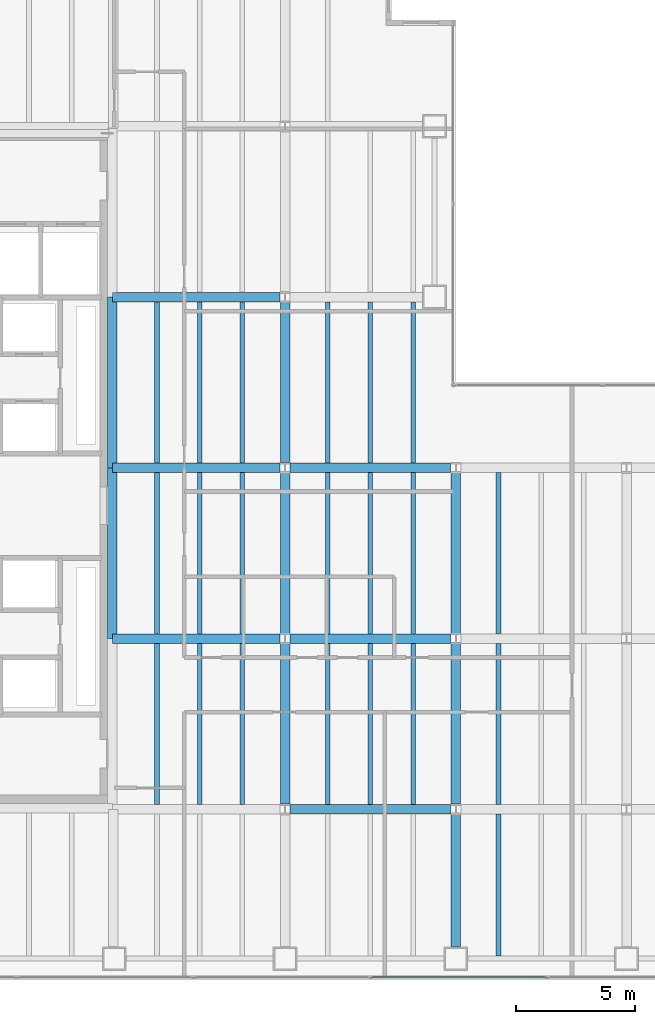
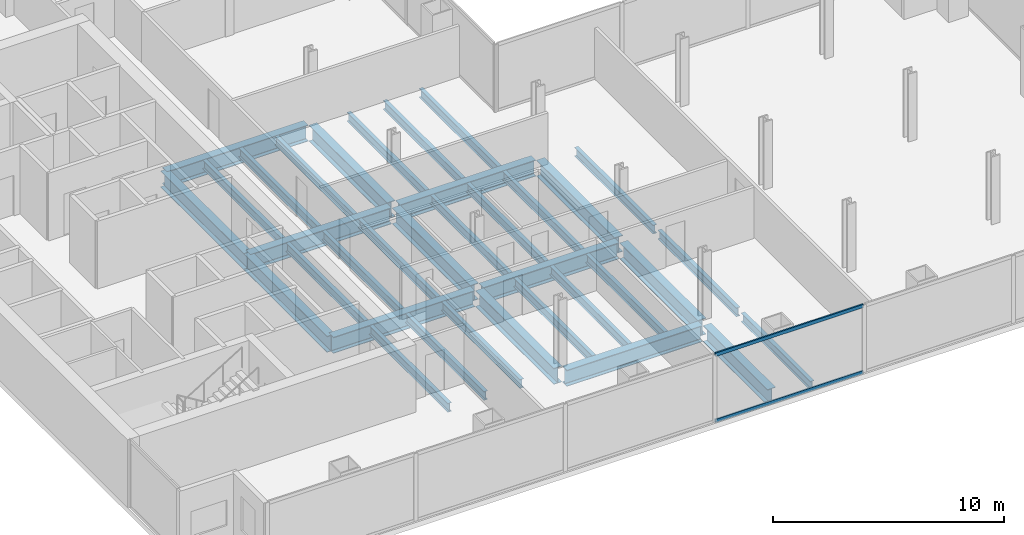
# One storey, part 5 of 23: 35 beams, 2 members, 1 element without a shape of its own.
"""IFC4 building model written with IfcOpenShell, lengths in metres."""

from ifc_helpers import new_model, si_unit, direction, frame, origin, origin_2d, place, context, subcontext, project, spatial, hollow_rectangle, i_section, extrude, material, material_profile, profile_set, type_object, element, aggregate, save


model = new_model("IFC4")

# Units and contexts
model_context = context("Model", 3, precision=1e-05, world=origin(), true_north=direction((0.0, 1.0)))
body_context = subcontext(model_context, "Body", "Model", "MODEL_VIEW")
ifc_project = project(units=[si_unit("LENGTHUNIT", "METRE"), si_unit("AREAUNIT", "SQUARE_METRE"), si_unit("VOLUMEUNIT", "CUBIC_METRE"), si_unit("PLANEANGLEUNIT", "RADIAN"), si_unit("MASSUNIT", "GRAM", prefix="KILO")], contexts=[model_context])

# Site, building, storey
site_placement = place(None, origin())
site = spatial("IfcSite", under=ifc_project, at=site_placement, CompositionType="ELEMENT")
building_placement = place(site_placement, origin())
building = spatial("IfcBuilding", under=site, at=building_placement, Name="Cobrela Telecom Tower", CompositionType="ELEMENT")
storey_placement = place(building_placement, frame((0.0, 0.0, 65.800048828125)))
storey = spatial("IfcBuildingStorey", under=building, at=storey_placement, Name="L16", CompositionType="ELEMENT", Elevation=65.800048828125)

# Beams
ifc_material_1 = material(Name="Steel ASTM A992 Grade 50", Category="steel")
ifc_material_profile_1 = material_profile(ifc_material_1, i_section(OverallWidth=0.39892578125, OverallDepth=0.85595703125, WebThickness=0.018310546875, FlangeThickness=0.029296875, FilletRadius=0.02001953125, at=origin_2d()), Name="W33X201")
ifc_profile_set_1 = profile_set([ifc_material_profile_1], Name="Steel ASTM A992 Grade 50")
beam_type_1 = type_object("IfcBeamType", Name="BM-GIRD-03", PredefinedType="USERDEFINED", material=ifc_profile_set_1)
beam_1_placement = place(storey_placement, frame((21.81591796875, 7.199951171875, -0.7080078125), z_axis=(1.0, 0.0, 0.0), x_axis=(0.0, 1.0, 0.0)))
element("IfcBeam", 1, at=beam_1_placement, inside=storey, type_object=beam_type_1, Name="L16 Primary Girder X09", ObjectType="GIRDER", PredefinedType="USERDEFINED", context=body_context, shape_type="SweptSolid", body=[
    extrude(i_section(OverallWidth=0.39892578125, OverallDepth=0.85595703125, WebThickness=0.018310546875, FlangeThickness=0.029296875, FilletRadius=0.02001953125, at=origin_2d()), origin(), (0.0, 0.0, 1.0), 6.76806640625),
])
beam_2_placement = place(storey_placement, frame((14.324951171875, 14.39990234375, -0.7080078125), z_axis=(1.0, 0.0, 0.0), x_axis=(0.0, 1.0, 0.0)))
element("IfcBeam", 2, at=beam_2_placement, inside=storey, type_object=beam_type_1, Name="L16 Primary Girder X13", ObjectType="GIRDER", PredefinedType="USERDEFINED", context=body_context, shape_type="SweptSolid", body=[
    extrude(i_section(OverallWidth=0.39892578125, OverallDepth=0.85595703125, WebThickness=0.018310546875, FlangeThickness=0.029296875, FilletRadius=0.02001953125, at=origin_2d()), origin(), (0.0, 0.0, 1.0), 7.05908203125),
])
beam_3_placement = place(storey_placement, frame((21.81591796875, 14.39990234375, -0.7080078125), z_axis=(1.0, 0.0, 0.0), x_axis=(0.0, 1.0, 0.0)))
element("IfcBeam", 3, at=beam_3_placement, inside=storey, type_object=beam_type_1, Name="L16 Primary Girder X14", ObjectType="GIRDER", PredefinedType="USERDEFINED", context=body_context, shape_type="SweptSolid", body=[
    extrude(i_section(OverallWidth=0.39892578125, OverallDepth=0.85595703125, WebThickness=0.018310546875, FlangeThickness=0.029296875, FilletRadius=0.02001953125, at=origin_2d()), origin(), (0.0, 0.0, 1.0), 6.76806640625),
])
beam_4_placement = place(storey_placement, frame((14.324951171875, 21.60009765625, -0.7080078125), z_axis=(1.0, 0.0, 0.0), x_axis=(0.0, 1.0, 0.0)))
element("IfcBeam", 4, at=beam_4_placement, inside=storey, type_object=beam_type_1, Name="L16 Primary Girder X18", ObjectType="GIRDER", PredefinedType="USERDEFINED", context=body_context, shape_type="SweptSolid", body=[
    extrude(i_section(OverallWidth=0.39892578125, OverallDepth=0.85595703125, WebThickness=0.018310546875, FlangeThickness=0.029296875, FilletRadius=0.02001953125, at=origin_2d()), origin(), (0.0, 0.0, 1.0), 7.05908203125),
])
beam_5_placement = place(storey_placement, frame((21.81591796875, 21.60009765625, -0.7080078125), z_axis=(1.0, 0.0, 0.0), x_axis=(0.0, 1.0, 0.0)))
element("IfcBeam", 5, at=beam_5_placement, inside=storey, type_object=beam_type_1, Name="L16 Primary Girder X19", ObjectType="GIRDER", PredefinedType="USERDEFINED", context=body_context, shape_type="SweptSolid", body=[
    extrude(i_section(OverallWidth=0.39892578125, OverallDepth=0.85595703125, WebThickness=0.018310546875, FlangeThickness=0.029296875, FilletRadius=0.02001953125, at=origin_2d()), origin(), (0.0, 0.0, 1.0), 6.76806640625),
])
beam_6_placement = place(storey_placement, frame((14.324951171875, 28.800048828125, -0.7080078125), z_axis=(1.0, 0.0, 0.0), x_axis=(0.0, 1.0, 0.0)))
element("IfcBeam", 6, at=beam_6_placement, inside=storey, type_object=beam_type_1, Name="L16 Primary Girder X23", ObjectType="GIRDER", PredefinedType="USERDEFINED", context=body_context, shape_type="SweptSolid", body=[
    extrude(i_section(OverallWidth=0.39892578125, OverallDepth=0.85595703125, WebThickness=0.018310546875, FlangeThickness=0.029296875, FilletRadius=0.02001953125, at=origin_2d()), origin(), (0.0, 0.0, 1.0), 7.05908203125),
])
for number, where, z_axis, x_axis, name in (
    (7, (14.320068359375, 14.405029296875, -0.7080078125), (0.0, 1.0, 0.0), (-1.0, 0.0, 0.0), "L16 Primary Girder Y36"),
    (8, (14.320068359375, 21.60498046875, -0.7080078125), (0.0, 1.0, 0.0), (-1.0, 0.0, 0.0), "L16 Primary Girder Y37"),
):
    element("IfcBeam", number, at=place(storey_placement, frame(where, z_axis=z_axis, x_axis=x_axis)), inside=storey, type_object=beam_type_1, Name=name, ObjectType="GIRDER", PredefinedType="USERDEFINED", context=body_context, shape_type="SweptSolid", body=[
        extrude(i_section(OverallWidth=0.39892578125, OverallDepth=0.85595703125, WebThickness=0.018310546875, FlangeThickness=0.029296875, FilletRadius=0.02001953125, at=origin_2d()), origin(), (0.0, 0.0, 1.0), 7.18994140625),
    ])
for number, where, z_axis, x_axis, name in (
    (9, (21.60009765625, 7.416015625, -0.7080078125), (0.0, 1.0, 0.0), (-1.0, 0.0, 0.0), "L16 Primary Girder Y41"),
    (10, (21.60009765625, 14.615966796875, -0.7080078125), (0.0, 1.0, 0.0), (-1.0, 0.0, 0.0), "L16 Primary Girder Y42"),
    (11, (21.60009765625, 21.81591796875, -0.7080078125), (0.0, 1.0, 0.0), (-1.0, 0.0, 0.0), "L16 Primary Girder Y43"),
):
    element("IfcBeam", number, at=place(storey_placement, frame(where, z_axis=z_axis, x_axis=x_axis)), inside=storey, type_object=beam_type_1, Name=name, ObjectType="GIRDER", PredefinedType="USERDEFINED", context=body_context, shape_type="SweptSolid", body=[
        extrude(i_section(OverallWidth=0.39892578125, OverallDepth=0.85595703125, WebThickness=0.018310546875, FlangeThickness=0.029296875, FilletRadius=0.02001953125, at=origin_2d()), origin(), (0.0, 0.0, 1.0), 6.76806640625),
    ])
beam_7_placement = place(storey_placement, frame((28.800048828125, 1.405029296875, -0.7080078125), z_axis=(0.0, 1.0, 0.0), x_axis=(-1.0, 0.0, 0.0)))
element("IfcBeam", 12, at=beam_7_placement, inside=storey, type_object=beam_type_1, Name="L16 Primary Girder Y47", ObjectType="GIRDER", PredefinedType="USERDEFINED", context=body_context, shape_type="SweptSolid", body=[
    extrude(i_section(OverallWidth=0.39892578125, OverallDepth=0.85595703125, WebThickness=0.018310546875, FlangeThickness=0.029296875, FilletRadius=0.02001953125, at=origin_2d()), origin(), (0.0, 0.0, 1.0), 5.578857421875),
])
for number, where, z_axis, x_axis, name in (
    (13, (28.800048828125, 7.416015625, -0.7080078125), (0.0, 1.0, 0.0), (-1.0, 0.0, 0.0), "L16 Primary Girder Y48"),
    (14, (28.800048828125, 14.615966796875, -0.7080078125), (0.0, 1.0, 0.0), (-1.0, 0.0, 0.0), "L16 Primary Girder Y49"),
):
    element("IfcBeam", number, at=place(storey_placement, frame(where, z_axis=z_axis, x_axis=x_axis)), inside=storey, type_object=beam_type_1, Name=name, ObjectType="GIRDER", PredefinedType="USERDEFINED", context=body_context, shape_type="SweptSolid", body=[
        extrude(i_section(OverallWidth=0.39892578125, OverallDepth=0.85595703125, WebThickness=0.018310546875, FlangeThickness=0.029296875, FilletRadius=0.02001953125, at=origin_2d()), origin(), (0.0, 0.0, 1.0), 6.76806640625),
    ])
ifc_material_profile_2 = material_profile(ifc_material_1, i_section(OverallWidth=0.193115234375, OverallDepth=0.467041015625, WebThickness=0.011474609375, FlangeThickness=0.01904296875, FilletRadius=0.012939453125, at=origin_2d()), Name="W18X65")
ifc_profile_set_2 = profile_set([ifc_material_profile_2], Name="Steel ASTM A992 Grade 50")
beam_type_2 = type_object("IfcBeamType", Name="BM-JOIST-03", PredefinedType="JOIST", material=ifc_profile_set_2)
for number, where, z_axis, x_axis, name in (
    (15, (16.199951171875, 7.404541015625, -0.513427734375), (0.0, 1.0, 0.0), (-1.0, 0.0, 0.0), "L16 Secondary Composite Floor Beam J08"),
    (16, (16.199951171875, 14.6044921875, -0.513427734375), (0.0, 1.0, 0.0), (-1.0, 0.0, 0.0), "L16 Secondary Composite Floor Beam J09"),
    (17, (16.199951171875, 21.804443359375, -0.513427734375), (0.0, 1.0, 0.0), (-1.0, 0.0, 0.0), "L16 Secondary Composite Floor Beam J10"),
    (18, (18.0, 7.404541015625, -0.513427734375), (0.0, 1.0, 0.0), (-1.0, 0.0, 0.0), "L16 Secondary Composite Floor Beam J14"),
    (19, (18.0, 14.6044921875, -0.513427734375), (0.0, 1.0, 0.0), (-1.0, 0.0, 0.0), "L16 Secondary Composite Floor Beam J15"),
    (20, (18.0, 21.804443359375, -0.513427734375), (0.0, 1.0, 0.0), (-1.0, 0.0, 0.0), "L16 Secondary Composite Floor Beam J16"),
    (21, (19.800048828125, 7.404541015625, -0.513427734375), (0.0, 1.0, 0.0), (-1.0, 0.0, 0.0), "L16 Secondary Composite Floor Beam J20"),
    (22, (19.800048828125, 14.6044921875, -0.513427734375), (0.0, 1.0, 0.0), (-1.0, 0.0, 0.0), "L16 Secondary Composite Floor Beam J21"),
    (23, (19.800048828125, 21.804443359375, -0.513427734375), (0.0, 1.0, 0.0), (-1.0, 0.0, 0.0), "L16 Secondary Composite Floor Beam J22"),
    (24, (23.39990234375, 7.404541015625, -0.513427734375), (0.0, 1.0, 0.0), (-1.0, 0.0, 0.0), "L16 Secondary Composite Floor Beam J26"),
    (25, (23.39990234375, 14.6044921875, -0.513427734375), (0.0, 1.0, 0.0), (-1.0, 0.0, 0.0), "L16 Secondary Composite Floor Beam J27"),
    (26, (23.39990234375, 21.804443359375, -0.513427734375), (0.0, 1.0, 0.0), (-1.0, 0.0, 0.0), "L16 Secondary Composite Floor Beam J28"),
    (27, (25.199951171875, 7.404541015625, -0.513427734375), (0.0, 1.0, 0.0), (-1.0, 0.0, 0.0), "L16 Secondary Composite Floor Beam J32"),
    (28, (25.199951171875, 14.6044921875, -0.513427734375), (0.0, 1.0, 0.0), (-1.0, 0.0, 0.0), "L16 Secondary Composite Floor Beam J33"),
    (29, (25.199951171875, 21.804443359375, -0.513427734375), (0.0, 1.0, 0.0), (-1.0, 0.0, 0.0), "L16 Secondary Composite Floor Beam J34"),
    (30, (27.0, 7.404541015625, -0.513427734375), (0.0, 1.0, 0.0), (-1.0, 0.0, 0.0), "L16 Secondary Composite Floor Beam J37"),
    (31, (27.0, 14.6044921875, -0.513427734375), (0.0, 1.0, 0.0), (-1.0, 0.0, 0.0), "L16 Secondary Composite Floor Beam J38"),
    (32, (27.0, 21.804443359375, -0.513427734375), (0.0, 1.0, 0.0), (-1.0, 0.0, 0.0), "L16 Secondary Composite Floor Beam J39"),
):
    element("IfcBeam", number, at=place(storey_placement, frame(where, z_axis=z_axis, x_axis=x_axis)), inside=storey, type_object=beam_type_2, Name=name, PredefinedType="JOIST", context=body_context, shape_type="SweptSolid", body=[
        extrude(i_section(OverallWidth=0.193115234375, OverallDepth=0.467041015625, WebThickness=0.011474609375, FlangeThickness=0.01904296875, FilletRadius=0.012939453125, at=origin_2d()), origin(), (0.0, 0.0, 1.0), 6.791015625),
    ])
beam_8_placement = place(storey_placement, frame((30.60009765625, 1.011474609375, -0.513427734375), z_axis=(0.0, 1.0, 0.0), x_axis=(-1.0, 0.0, 0.0)))
element("IfcBeam", 33, at=beam_8_placement, inside=storey, type_object=beam_type_2, Name="L16 Secondary Composite Floor Beam J41", PredefinedType="JOIST", context=body_context, shape_type="SweptSolid", body=[
    extrude(i_section(OverallWidth=0.193115234375, OverallDepth=0.467041015625, WebThickness=0.011474609375, FlangeThickness=0.01904296875, FilletRadius=0.012939453125, at=origin_2d()), origin(), (0.0, 0.0, 1.0), 5.984130859375),
])
for number, where, z_axis, x_axis, name in (
    (34, (30.60009765625, 7.404541015625, -0.513427734375), (0.0, 1.0, 0.0), (-1.0, 0.0, 0.0), "L16 Secondary Composite Floor Beam J42"),
    (35, (30.60009765625, 14.6044921875, -0.513427734375), (0.0, 1.0, 0.0), (-1.0, 0.0, 0.0), "L16 Secondary Composite Floor Beam J43"),
):
    element("IfcBeam", number, at=place(storey_placement, frame(where, z_axis=z_axis, x_axis=x_axis)), inside=storey, type_object=beam_type_2, Name=name, PredefinedType="JOIST", context=body_context, shape_type="SweptSolid", body=[
        extrude(i_section(OverallWidth=0.193115234375, OverallDepth=0.467041015625, WebThickness=0.011474609375, FlangeThickness=0.01904296875, FilletRadius=0.012939453125, at=origin_2d()), origin(), (0.0, 0.0, 1.0), 6.791015625),
    ])

# Curtain wall, members
ifc_material_2 = material(Name="Anodized Bronze Aluminium 6063-T6", Category="aluminium")
curtain_wall_type = type_object("IfcCurtainWallType", Name="CW-SYS-DATA", PredefinedType="USERDEFINED", material=ifc_material_2)
curtain_wall_placement = place(storey_placement, origin())
curtain_wall = element("IfcCurtainWall", 36, at=curtain_wall_placement, inside=storey, type_object=curtain_wall_type, Name="L16 Unitised Bronze Curtain Wall 17", ObjectType="UNITISED CURTAIN WALL", PredefinedType="USERDEFINED")
ifc_material_profile_3 = material_profile(ifc_material_2, hollow_rectangle(XDim=0.074951171875, YDim=0.179931640625, WallThickness=0.00390625, at=origin_2d()), Name="ALU 75x180x4")
ifc_profile_set_3 = profile_set([ifc_material_profile_3], Name="Anodized Bronze Aluminium 6063-T6")
member_type = type_object("IfcMemberType", Name="CW-SYS-DATA-TRN", PredefinedType="USERDEFINED", material=ifc_profile_set_3)
member_1_placement = place(storey_placement, frame((32.61669921875, 0.1201171875, 0.037353515625), z_axis=(-1.0, 0.0, 0.0), x_axis=(0.0, -1.0, 0.0)))
member_1 = element("IfcMember", 37, at=member_1_placement, type_object=member_type, Name="CW-DATA transom 3.1", ObjectType="TRANSOM", PredefinedType="USERDEFINED", context=body_context, shape_type="SweptSolid", body=[
    extrude(hollow_rectangle(XDim=0.074951171875, YDim=0.179931640625, WallThickness=0.00390625, at=origin_2d()), origin(), (0.0, 0.0, 1.0), 7.376708984375),
])
member_2_placement = place(storey_placement, frame((32.61669921875, 0.1201171875, 3.532470703125), z_axis=(-1.0, 0.0, 0.0), x_axis=(0.0, -1.0, 0.0)))
member_2 = element("IfcMember", 38, at=member_2_placement, type_object=member_type, Name="CW-DATA transom 3.2", ObjectType="TRANSOM", PredefinedType="USERDEFINED", context=body_context, shape_type="SweptSolid", body=[
    extrude(hollow_rectangle(XDim=0.074951171875, YDim=0.179931640625, WallThickness=0.00390625, at=origin_2d()), origin(), (0.0, 0.0, 1.0), 7.376708984375),
])
aggregate(curtain_wall, [member_1, member_2])

save(model, "model.ifc")
